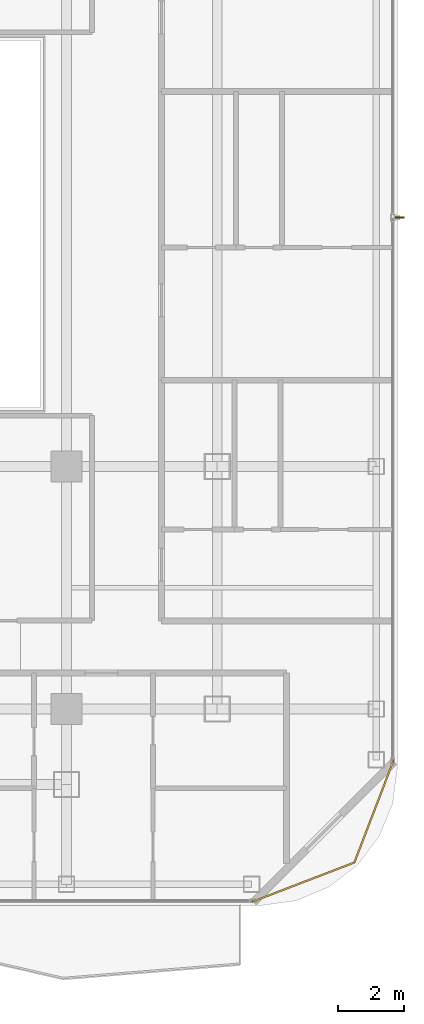
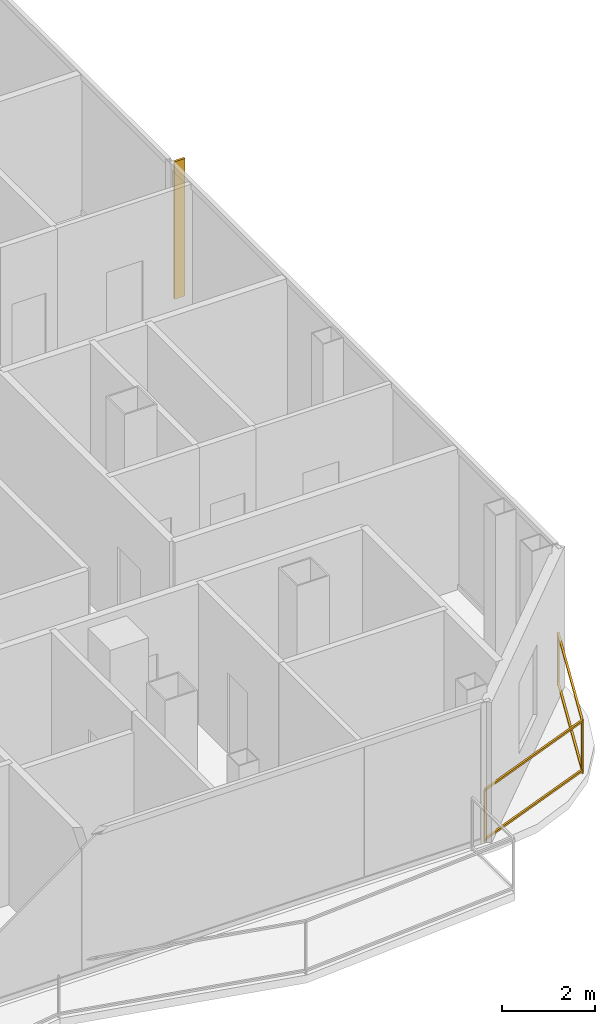
# One storey, part 24 of 26: 1 railing, 1 shading device.
"""IFC4 building model written with IfcOpenShell, lengths in metres."""

from ifc_helpers import new_model, si_unit, direction, frame, origin, origin_2d, place, context, subcontext, project, spatial, rectangle, extrude, material, layer, layer_set, type_object, element, save


model = new_model("IFC4")

# Units and contexts
model_context = context("Model", 3, precision=1e-05, world=origin(), true_north=direction((0.0, 1.0)))
body_context = subcontext(model_context, "Body", "Model", "MODEL_VIEW")
ifc_project = project(units=[si_unit("LENGTHUNIT", "METRE"), si_unit("AREAUNIT", "SQUARE_METRE"), si_unit("VOLUMEUNIT", "CUBIC_METRE"), si_unit("PLANEANGLEUNIT", "RADIAN"), si_unit("MASSUNIT", "GRAM", prefix="KILO")], contexts=[model_context])

# Site, building, storey
site_placement = place(None, origin())
site = spatial("IfcSite", under=ifc_project, at=site_placement, CompositionType="ELEMENT")
building_placement = place(site_placement, origin())
building = spatial("IfcBuilding", under=site, at=building_placement, Name="Khorvyn Point Tower", CompositionType="ELEMENT")
storey_placement = place(building_placement, frame((0.0, 0.0, 262.5)))
storey = spatial("IfcBuildingStorey", under=building, at=storey_placement, Name="L64", CompositionType="ELEMENT", Elevation=262.5)

# Railing
ifc_material_1 = material(Name="Anodised aluminium 6063-T6 and laminated safety glass", Category="aluminium")
railing_type = type_object("IfcRailingType", Name="Laminated Glass and Aluminium Balcony Guardrail 1400", PredefinedType="BALUSTRADE", material=ifc_material_1)
railing_placement = place(storey_placement, frame((20.486572265625, -20.67431640625, 0.0)))
element("IfcRailing", 1, at=railing_placement, inside=storey, type_object=railing_type, Name="L64 Rounded Corner Edge Guardrail SE", PredefinedType="BALUSTRADE", context=body_context, shape_type="SweptSolid", body=[
    extrude(rectangle(XDim=0.048095703125, YDim=0.048095703125, at=origin_2d()), frame((0.0, 0.0, 1.3759765625), z_axis=(0.933595647299, 0.358328295484, 0.0), x_axis=(-0.358328295484, 0.933595647299, 0.0)), (0.0, 0.0, 1.0), 3.31884765625),
    extrude(rectangle(XDim=0.048095703125, YDim=0.048095703125, at=origin_2d()), frame((0.0, 0.0, 0.080078125), z_axis=(0.933595647299, 0.358328295484, 0.0), x_axis=(-0.358328295484, 0.933595647299, 0.0)), (0.0, 0.0, 1.0), 3.31884765625),
    extrude(rectangle(XDim=0.048095703125, YDim=0.048095703125, at=origin_2d()), frame((3.098388671875, 1.189208984375, 1.3759765625), z_axis=(0.358367799998, 0.933580483903, 0.0), x_axis=(-0.933580483903, 0.358367799998, 0.0)), (0.0, 0.0, 1.0), 3.319091796875),
    extrude(rectangle(XDim=0.048095703125, YDim=0.048095703125, at=origin_2d()), frame((3.098388671875, 1.189208984375, 0.080078125), z_axis=(0.358367799998, 0.933580483903, 0.0), x_axis=(-0.933580483903, 0.358367799998, 0.0)), (0.0, 0.0, 1.0), 3.319091796875),
    extrude(rectangle(XDim=0.0419921875, YDim=0.0419921875, at=origin_2d()), origin(), (0.0, 0.0, 1.0), 1.351806640625),
    extrude(rectangle(XDim=0.0419921875, YDim=0.0419921875, at=origin_2d()), frame((3.098388671875, 1.189208984375, 0.0)), (0.0, 0.0, 1.0), 1.351806640625),
    extrude(rectangle(XDim=0.0419921875, YDim=0.0419921875, at=origin_2d()), frame((4.287841796875, 4.287841796875, 0.0)), (0.0, 0.0, 1.0), 1.351806640625),
])

# Shading device
ifc_material_2 = material(Name="Pale anodised aluminium 6063-T6", Category="aluminium")
ifc_layer = layer(ifc_material_2, 0.054931640625)
ifc_layer_set = layer_set([ifc_layer], Name="Pale Anodised Aluminium FIN 260x55")
shading_device_type = type_object("IfcShadingDeviceType", Name="Pale Anodised Aluminium FIN 260x55", PredefinedType="USERDEFINED", material=ifc_layer_set)
shading_device_placement = place(storey_placement, frame((24.969970703125, 0.199951171875, 0.0400390625), z_axis=(0.0, 0.0, 1.0), x_axis=(1.0, 0.0, 0.0)))
element("IfcShadingDevice", 2, at=shading_device_placement, inside=storey, type_object=shading_device_type, Name="L64 Anodised FIN 01", ObjectType="FIN", PredefinedType="USERDEFINED", context=body_context, shape_type="SweptSolid", body=[
    extrude(rectangle(XDim=0.260009765625, YDim=0.054931640625, at=origin_2d()), origin(), (0.0, 0.0, 1.0), 3.60009765625),
])

save(model, "model.ifc")
